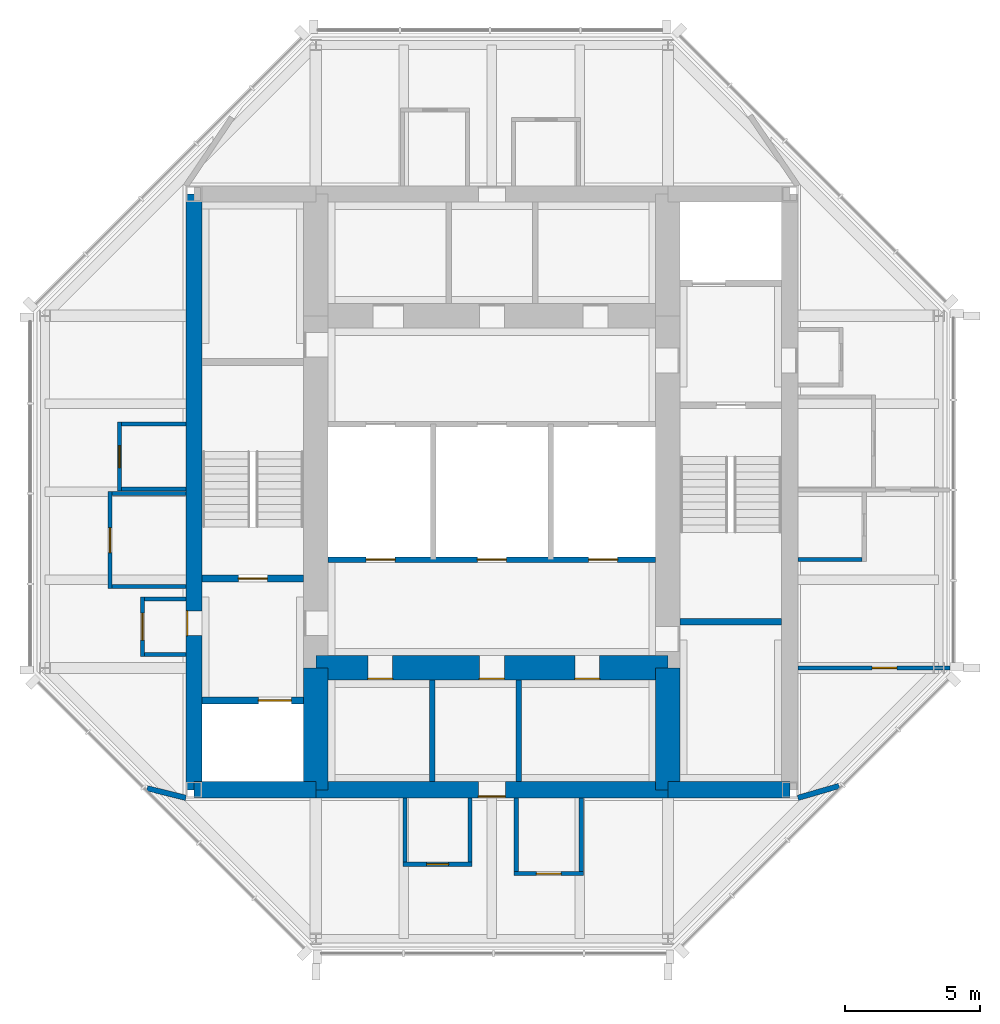
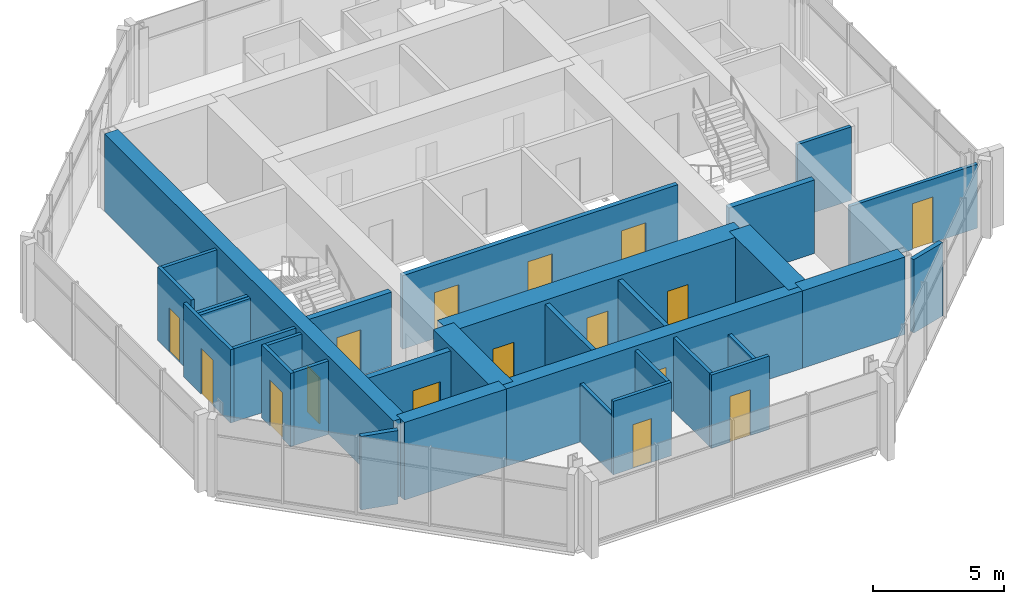
# One storey, part 5 of 8: 32 walls, 16 doors, 16 openings.
"""IFC4 building model written with IfcOpenShell, lengths in metres."""

from ifc_helpers import new_model, si_unit, direction, frame, frame_2d, origin, place, context, subcontext, project, spatial, rectangle, extrude, material, layer, layer_set, type_object, element, fill, save


model = new_model("IFC4")

# Units and contexts
model_context = context("Model", 3, precision=1e-05, world=origin(), true_north=direction((0.0, 1.0)))
body_context = subcontext(model_context, "Body", "Model", "MODEL_VIEW")
ifc_project = project(units=[si_unit("LENGTHUNIT", "METRE"), si_unit("AREAUNIT", "SQUARE_METRE"), si_unit("VOLUMEUNIT", "CUBIC_METRE"), si_unit("PLANEANGLEUNIT", "RADIAN"), si_unit("MASSUNIT", "GRAM", prefix="KILO")], contexts=[model_context])

# Site, building, storey
site_placement = place(None, origin())
site = spatial("IfcSite", under=ifc_project, at=site_placement, CompositionType="ELEMENT")
building_placement = place(site_placement, origin())
building = spatial("IfcBuilding", under=site, at=building_placement, Name="Trevanion Tower", CompositionType="ELEMENT")
storey_placement = place(building_placement, frame((0.0, 0.0, 274.0)))
storey = spatial("IfcBuildingStorey", under=building, at=storey_placement, Name="L67", CompositionType="ELEMENT", Elevation=274.0)

# Wall, opening, door
ifc_material_1 = material(Name="Concrete 10,000 psi", Category="concrete")
ifc_layer_1 = layer(ifc_material_1, 0.60009765625)
ifc_layer_set_1 = layer_set([ifc_layer_1], Name="CW1 core wall 600")
wall_type_1 = type_object("IfcWallType", Name="CW1 core wall 600", PredefinedType="SHEAR", material=ifc_layer_set_1)
wall_1_placement = place(storey_placement, frame((-11.0, 11.0, 0.0), z_axis=(0.0, 0.0, 1.0), x_axis=(0.0, -1.0, 0.0)))
wall_1 = element("IfcWall", 1, at=wall_1_placement, inside=storey, type_object=wall_type_1, Name="CW1 CW L67", PredefinedType="SHEAR", context=body_context, shape_type="SweptSolid", body=[
    extrude(rectangle(XDim=22.0, YDim=0.60009765625, at=frame_2d((11.0, 0.0))), origin(), (0.0, 0.0, 1.0), 3.60009765625),
])
opening_1_placement = place(wall_1_placement, frame((15.392578125, 0.0, 0.0)))
opening_1 = element("IfcOpeningElement", 2, at=opening_1_placement, cuts=wall_1, Name="Opening 67-002", PredefinedType="OPENING", context=body_context, shape_type="SweptSolid", body=[
    extrude(rectangle(XDim=0.9150390625, YDim=2.134033203125, at=frame_2d((0.45751953125, 1.06689453125))), frame((0.0, 0.31005859375, 0.0), z_axis=(0.0, -1.0, 0.0), x_axis=(1.0, 0.0, 0.0)), (0.0, 0.0, 1.0), 0.6201171875),
])
ifc_material_2 = material(Name="Hollow metal, fire rated", Category="steel")
door_type_1 = type_object("IfcDoorType", Name="D3 fire lift lobby door", OperationType="SINGLE_SWING_RIGHT", PredefinedType="DOOR", material=ifc_material_2)
door_1_placement = place(opening_1_placement, origin())
door_1 = element("IfcDoor", 3, at=door_1_placement, inside=storey, type_object=door_type_1, Name="Door 67-002", OperationType="SINGLE_SWING_RIGHT", OverallHeight=2.134033203125, OverallWidth=0.9150390625, PredefinedType="DOOR", context=body_context, shape_type="SweptSolid", body=[
    extrude(rectangle(XDim=0.9150390625, YDim=2.134033203125, at=frame_2d((0.45751953125, 1.06689453125))), frame((0.0, -0.22509765625, 0.0), z_axis=(0.0, -1.0, 0.0), x_axis=(1.0, 0.0, 0.0)), (0.0, 0.0, 1.0), 0.050048828125),
])
fill(opening_1, door_1)

# Wall
wall_2_placement = place(storey_placement, frame((-11.0, -11.0, 0.0), z_axis=(0.0, 0.0, 1.0), x_axis=(1.0, 0.0, 0.0)))
element("IfcWall", 4, at=wall_2_placement, inside=storey, type_object=wall_type_1, Name="CW1 CS1 L67", PredefinedType="SHEAR", context=body_context, shape_type="SweptSolid", body=[
    extrude(rectangle(XDim=4.5, YDim=0.60009765625, at=frame_2d((2.25, 0.0))), origin(), (0.0, 0.0, 1.0), 3.60009765625),
])

# Wall, opening, door
wall_3_placement = place(storey_placement, frame((-6.5, -11.0, 0.0), z_axis=(0.0, 0.0, 1.0), x_axis=(1.0, 0.0, 0.0)))
wall_3 = element("IfcWall", 5, at=wall_3_placement, inside=storey, type_object=wall_type_1, Name="CW1 CS2 L67", PredefinedType="SHEAR", context=body_context, shape_type="SweptSolid", body=[
    extrude(rectangle(XDim=13.0, YDim=0.60009765625, at=frame_2d((6.5, 0.0))), origin(), (0.0, 0.0, 1.0), 3.60009765625),
])
opening_2_placement = place(wall_3_placement, frame((6.0, 0.0, 0.0)))
opening_2 = element("IfcOpeningElement", 6, at=opening_2_placement, cuts=wall_3, Name="Opening 67-022", PredefinedType="OPENING", context=body_context, shape_type="SweptSolid", body=[
    extrude(rectangle(XDim=1.0, YDim=2.134033203125, at=frame_2d((0.5, 1.06689453125))), frame((0.0, 0.31005859375, 0.0), z_axis=(0.0, -1.0, 0.0), x_axis=(1.0, 0.0, 0.0)), (0.0, 0.0, 1.0), 0.6201171875),
])
ifc_material_3 = material(Name="Timber veneer on steel frame, fire rated", Category="steel")
door_type_2 = type_object("IfcDoorType", Name="D13 residence entrance door", OperationType="SINGLE_SWING_RIGHT", PredefinedType="DOOR", material=ifc_material_3)
door_2_placement = place(opening_2_placement, origin())
door_2 = element("IfcDoor", 7, at=door_2_placement, inside=storey, type_object=door_type_2, Name="Door 67-022", OperationType="SINGLE_SWING_RIGHT", OverallHeight=2.134033203125, OverallWidth=1.0, PredefinedType="DOOR", context=body_context, shape_type="SweptSolid", body=[
    extrude(rectangle(XDim=1.0, YDim=2.134033203125, at=frame_2d((0.5, 1.06689453125))), frame((0.0, -0.22509765625, 0.0), z_axis=(0.0, -1.0, 0.0), x_axis=(1.0, 0.0, 0.0)), (0.0, 0.0, 1.0), 0.050048828125),
])
fill(opening_2, door_2)

# Walls
wall_4_placement = place(storey_placement, frame((6.5, -11.0, 0.0), z_axis=(0.0, 0.0, 1.0), x_axis=(1.0, 0.0, 0.0)))
element("IfcWall", 8, at=wall_4_placement, inside=storey, type_object=wall_type_1, Name="CW1 CS3 L67", PredefinedType="SHEAR", context=body_context, shape_type="SweptSolid", body=[
    extrude(rectangle(XDim=4.5, YDim=0.60009765625, at=frame_2d((2.25, 0.0))), origin(), (0.0, 0.0, 1.0), 3.60009765625),
])
ifc_material_4 = material(Name="Concrete 10,000 psi", Category="concrete")
ifc_layer_2 = layer(ifc_material_4, 0.89990234375)
ifc_layer_set_2 = layer_set([ifc_layer_2], Name="CW2 core wall 900")
wall_type_2 = type_object("IfcWallType", Name="CW2 core wall 900", PredefinedType="SHEAR", material=ifc_layer_set_2)
for number, where, z_axis, x_axis, name in (
    (9, (6.5, -11.0, 0.0), (0.0, 0.0, 1.0), (0.0, 1.0, 0.0), "CW2 RE1 L67"),
    (10, (-6.5, -6.5, 0.0), (0.0, 0.0, 1.0), (0.0, -1.0, 0.0), "CW2 RW3 L67"),
):
    element("IfcWall", number, at=place(storey_placement, frame(where, z_axis=z_axis, x_axis=x_axis)), inside=storey, type_object=wall_type_2, Name=name, PredefinedType="SHEAR", context=body_context, shape_type="SweptSolid", body=[
        extrude(rectangle(XDim=4.5, YDim=0.89990234375, at=frame_2d((2.25, 0.0))), origin(), (0.0, 0.0, 1.0), 3.60009765625),
    ])

# Wall, openings, doors
wall_5_placement = place(storey_placement, frame((-6.5, -6.5, 0.0), z_axis=(0.0, 0.0, 1.0), x_axis=(1.0, 0.0, 0.0)))
wall_5 = element("IfcWall", 11, at=wall_5_placement, inside=storey, type_object=wall_type_2, Name="CW2 RS L67", PredefinedType="SHEAR", context=body_context, shape_type="SweptSolid", body=[
    extrude(rectangle(XDim=13.0, YDim=0.89990234375, at=frame_2d((6.5, 0.0))), origin(), (0.0, 0.0, 1.0), 3.60009765625),
])
opening_3_placement = place(wall_5_placement, frame((6.04248046875, 0.0, 0.0)))
opening_3 = element("IfcOpeningElement", 12, at=opening_3_placement, cuts=wall_5, Name="Opening 67-021", PredefinedType="OPENING", context=body_context, shape_type="SweptSolid", body=[
    extrude(rectangle(XDim=0.9150390625, YDim=2.134033203125, at=frame_2d((0.45751953125, 1.06689453125))), frame((0.0, 0.4599609375, 0.0), z_axis=(0.0, -1.0, 0.0), x_axis=(1.0, 0.0, 0.0)), (0.0, 0.0, 1.0), 0.919921875),
])
opening_4_placement = place(wall_5_placement, frame((1.91748046875, 0.0, 0.0)))
opening_4 = element("IfcOpeningElement", 13, at=opening_4_placement, cuts=wall_5, Name="Opening 67-023", PredefinedType="OPENING", context=body_context, shape_type="SweptSolid", body=[
    extrude(rectangle(XDim=0.9150390625, YDim=2.134033203125, at=frame_2d((0.45751953125, 1.06689453125))), frame((0.0, 0.4599609375, 0.0), z_axis=(0.0, -1.0, 0.0), x_axis=(1.0, 0.0, 0.0)), (0.0, 0.0, 1.0), 0.919921875),
])
opening_5_placement = place(wall_5_placement, frame((9.5673828125, 0.0, 0.0)))
opening_5 = element("IfcOpeningElement", 14, at=opening_5_placement, cuts=wall_5, Name="Opening 67-024", PredefinedType="OPENING", context=body_context, shape_type="SweptSolid", body=[
    extrude(rectangle(XDim=0.9150390625, YDim=2.134033203125, at=frame_2d((0.45751953125, 1.06689453125))), frame((0.0, 0.4599609375, 0.0), z_axis=(0.0, -1.0, 0.0), x_axis=(1.0, 0.0, 0.0)), (0.0, 0.0, 1.0), 0.919921875),
])
door_3_placement = place(opening_3_placement, origin())
door_3 = element("IfcDoor", 15, at=door_3_placement, inside=storey, type_object=door_type_1, Name="Door 67-021", OperationType="SINGLE_SWING_RIGHT", OverallHeight=2.134033203125, OverallWidth=0.9150390625, PredefinedType="DOOR", context=body_context, shape_type="SweptSolid", body=[
    extrude(rectangle(XDim=0.9150390625, YDim=2.134033203125, at=frame_2d((0.45751953125, 1.06689453125))), frame((0.0, -0.375, 0.0), z_axis=(0.0, -1.0, 0.0), x_axis=(1.0, 0.0, 0.0)), (0.0, 0.0, 1.0), 0.050048828125),
])
fill(opening_3, door_3)
ifc_material_5 = material(Name="Hollow metal, fire rated", Category="steel")
door_type_3 = type_object("IfcDoorType", Name="D5 service room door", OperationType="SINGLE_SWING_RIGHT", PredefinedType="DOOR", material=ifc_material_5)
door_4_placement = place(opening_4_placement, origin())
door_4 = element("IfcDoor", 16, at=door_4_placement, inside=storey, type_object=door_type_3, Name="Door 67-023", OperationType="SINGLE_SWING_RIGHT", OverallHeight=2.134033203125, OverallWidth=0.9150390625, PredefinedType="DOOR", context=body_context, shape_type="SweptSolid", body=[
    extrude(rectangle(XDim=0.9150390625, YDim=2.134033203125, at=frame_2d((0.45751953125, 1.06689453125))), frame((0.0, -0.375, 0.0), z_axis=(0.0, -1.0, 0.0), x_axis=(1.0, 0.0, 0.0)), (0.0, 0.0, 1.0), 0.050048828125),
])
fill(opening_4, door_4)
door_5_placement = place(opening_5_placement, origin())
door_5 = element("IfcDoor", 17, at=door_5_placement, inside=storey, type_object=door_type_3, Name="Door 67-024", OperationType="SINGLE_SWING_RIGHT", OverallHeight=2.134033203125, OverallWidth=0.9150390625, PredefinedType="DOOR", context=body_context, shape_type="SweptSolid", body=[
    extrude(rectangle(XDim=0.9150390625, YDim=2.134033203125, at=frame_2d((0.45751953125, 1.06689453125))), frame((0.0, -0.375, 0.0), z_axis=(0.0, -1.0, 0.0), x_axis=(1.0, 0.0, 0.0)), (0.0, 0.0, 1.0), 0.050048828125),
])
fill(opening_5, door_5)

# Wall, opening, door
ifc_material_6 = material(Name="Gypsum board on steel studs", Category="steel")
ifc_layer_3 = layer(ifc_material_6, 0.14990234375)
ifc_layer_set_3 = layer_set([ifc_layer_3], Name="PT1 partition 150")
wall_type_3 = type_object("IfcWallType", Name="PT1 partition 150", PredefinedType="PARTITIONING", material=ifc_layer_set_3)
wall_6_placement = place(storey_placement, frame((11.300048828125, -6.5, 0.0), z_axis=(0.0, 0.0, 1.0), x_axis=(1.0, 0.0, 0.0)))
wall_6 = element("IfcWall", 18, at=wall_6_placement, inside=storey, type_object=wall_type_3, Name="PT1 L67 REC0", PredefinedType="PARTITIONING", context=body_context, shape_type="SweptSolid", body=[
    extrude(rectangle(XDim=5.614990234375, YDim=0.14990234375, at=frame_2d((2.8076171875, 0.0))), origin(), (0.0, 0.0, 1.0), 2.965576171875),
])
opening_6_placement = place(wall_6_placement, frame((2.742431640625, 0.0, 0.0)))
opening_6 = element("IfcOpeningElement", 19, at=opening_6_placement, cuts=wall_6, Name="Opening 67-028", PredefinedType="OPENING", context=body_context, shape_type="SweptSolid", body=[
    extrude(rectangle(XDim=0.9150390625, YDim=2.134033203125, at=frame_2d((0.45751953125, 1.06689453125))), frame((0.0, 0.0849609375, 0.0), z_axis=(0.0, -1.0, 0.0), x_axis=(1.0, 0.0, 0.0)), (0.0, 0.0, 1.0), 0.169921875),
])
ifc_material_7 = material(Name="Timber veneer, solid core", Category="wood")
door_type_4 = type_object("IfcDoorType", Name="D1 office and meeting room door", OperationType="SINGLE_SWING_LEFT", PredefinedType="DOOR", material=ifc_material_7)
door_6_placement = place(opening_6_placement, origin())
door_6 = element("IfcDoor", 20, at=door_6_placement, inside=storey, type_object=door_type_4, Name="Door 67-028", OperationType="SINGLE_SWING_LEFT", OverallHeight=2.134033203125, OverallWidth=0.9150390625, PredefinedType="DOOR", context=body_context, shape_type="SweptSolid", body=[
    extrude(rectangle(XDim=0.9150390625, YDim=2.134033203125, at=frame_2d((0.45751953125, 1.06689453125))), frame((0.0, 0.02490234375, 0.0), z_axis=(0.0, -1.0, 0.0), x_axis=(1.0, 0.0, 0.0)), (0.0, 0.0, 1.0), 0.050048828125),
])
fill(opening_6, door_6)

# Walls
wall_7_placement = place(storey_placement, frame((11.300048828125, -2.5, 0.0), z_axis=(0.0, 0.0, 1.0), x_axis=(1.0, 0.0, 0.0)))
element("IfcWall", 21, at=wall_7_placement, inside=storey, type_object=wall_type_3, Name="PT1 L67 RETA", PredefinedType="PARTITIONING", context=body_context, shape_type="SweptSolid", body=[
    extrude(rectangle(XDim=2.375, YDim=0.14990234375, at=frame_2d((1.1875, 0.0))), origin(), (0.0, 0.0, 1.0), 3.409912109375),
])
for number, where, z_axis, x_axis, name in (
    (22, (-11.300048828125, -3.949951171875, 0.0), (0.0, 0.0, 1.0), (-1.0, 0.0, 0.0), "PT1 L67 RWEA"),
    (23, (-11.300048828125, -6.0, 0.0), (0.0, 0.0, 1.0), (-1.0, 0.0, 0.0), "PT1 L67 RWEB"),
):
    element("IfcWall", number, at=place(storey_placement, frame(where, z_axis=z_axis, x_axis=x_axis)), inside=storey, type_object=wall_type_3, Name=name, PredefinedType="PARTITIONING", context=body_context, shape_type="SweptSolid", body=[
        extrude(rectangle(XDim=1.52490234375, YDim=0.14990234375, at=frame_2d((0.762451171875, 0.0))), origin(), (0.0, 0.0, 1.0), 3.409912109375),
    ])

# Wall, opening, door
wall_8_placement = place(storey_placement, frame((-14.10009765625, 0.010009765625, 0.0), z_axis=(0.0, 0.0, 1.0), x_axis=(0.0, -1.0, 0.0)))
wall_8 = element("IfcWall", 24, at=wall_8_placement, inside=storey, type_object=wall_type_3, Name="PT1 L67 RWKF", PredefinedType="PARTITIONING", context=body_context, shape_type="SweptSolid", body=[
    extrude(rectangle(XDim=3.5849609375, YDim=0.14990234375, at=frame_2d((1.79248046875, 0.0))), origin(), (0.0, 0.0, 1.0), 3.409912109375),
])
opening_7_placement = place(wall_8_placement, frame((1.3349609375, 0.0, 0.0)))
opening_7 = element("IfcOpeningElement", 25, at=opening_7_placement, cuts=wall_8, Name="Opening 67-033", PredefinedType="OPENING", context=body_context, shape_type="SweptSolid", body=[
    extrude(rectangle(XDim=0.9150390625, YDim=2.134033203125, at=frame_2d((0.45751953125, 1.06689453125))), frame((0.0, 0.0849609375, 0.0), z_axis=(0.0, -1.0, 0.0), x_axis=(1.0, 0.0, 0.0)), (0.0, 0.0, 1.0), 0.169921875),
])
door_7_placement = place(opening_7_placement, origin())
door_7 = element("IfcDoor", 26, at=door_7_placement, inside=storey, type_object=door_type_4, Name="Door 67-033", OperationType="SINGLE_SWING_LEFT", OverallHeight=2.134033203125, OverallWidth=0.9150390625, PredefinedType="DOOR", context=body_context, shape_type="SweptSolid", body=[
    extrude(rectangle(XDim=0.9150390625, YDim=2.134033203125, at=frame_2d((0.45751953125, 1.06689453125))), frame((0.0, 0.02490234375, 0.0), z_axis=(0.0, -1.0, 0.0), x_axis=(1.0, 0.0, 0.0)), (0.0, 0.0, 1.0), 0.050048828125),
])
fill(opening_7, door_7)

# Walls
wall_9_placement = place(storey_placement, frame((-11.300048828125, -0.06494140625, 0.0), z_axis=(0.0, 0.0, 1.0), x_axis=(-1.0, 0.0, 0.0)))
element("IfcWall", 27, at=wall_9_placement, inside=storey, type_object=wall_type_3, Name="PT1 L67 RWKA", PredefinedType="PARTITIONING", context=body_context, shape_type="SweptSolid", body=[
    extrude(rectangle(XDim=2.724853515625, YDim=0.14990234375, at=frame_2d((1.3623046875, 0.0))), origin(), (0.0, 0.0, 1.0), 2.708984375),
])
wall_10_placement = place(storey_placement, frame((-11.300048828125, -3.5, 0.0), z_axis=(0.0, 0.0, 1.0), x_axis=(-1.0, 0.0, 0.0)))
element("IfcWall", 28, at=wall_10_placement, inside=storey, type_object=wall_type_3, Name="PT1 L67 RWKB", PredefinedType="PARTITIONING", context=body_context, shape_type="SweptSolid", body=[
    extrude(rectangle(XDim=2.724853515625, YDim=0.14990234375, at=frame_2d((1.3623046875, 0.0))), origin(), (0.0, 0.0, 1.0), 3.409912109375),
])

# Wall, opening, door
wall_11_placement = place(storey_placement, frame((-13.75, 2.574951171875, 0.0), z_axis=(0.0, 0.0, 1.0), x_axis=(0.0, -1.0, 0.0)))
wall_11 = element("IfcWall", 29, at=wall_11_placement, inside=storey, type_object=wall_type_3, Name="PT1 L67 RWTF", PredefinedType="PARTITIONING", context=body_context, shape_type="SweptSolid", body=[
    extrude(rectangle(XDim=2.550048828125, YDim=0.14990234375, at=frame_2d((1.27490234375, 0.0))), origin(), (0.0, 0.0, 1.0), 3.409912109375),
])
opening_8_placement = place(wall_11_placement, frame((0.868408203125, 0.0, 0.0)))
opening_8 = element("IfcOpeningElement", 30, at=opening_8_placement, cuts=wall_11, Name="Opening 67-034", PredefinedType="OPENING", context=body_context, shape_type="SweptSolid", body=[
    extrude(rectangle(XDim=0.81298828125, YDim=2.031982421875, at=frame_2d((0.406494140625, 1.01611328125))), frame((0.0, 0.0849609375, 0.0), z_axis=(0.0, -1.0, 0.0), x_axis=(1.0, 0.0, 0.0)), (0.0, 0.0, 1.0), 0.169921875),
])
ifc_material_8 = material(Name="Timber veneer", Category="wood")
door_type_5 = type_object("IfcDoorType", Name="D14 residence bathroom door", OperationType="SINGLE_SWING_LEFT", PredefinedType="DOOR", material=ifc_material_8)
door_8_placement = place(opening_8_placement, origin())
door_8 = element("IfcDoor", 31, at=door_8_placement, inside=storey, type_object=door_type_5, Name="Door 67-034", OperationType="SINGLE_SWING_LEFT", OverallHeight=2.031982421875, OverallWidth=0.81298828125, PredefinedType="DOOR", context=body_context, shape_type="SweptSolid", body=[
    extrude(rectangle(XDim=0.81298828125, YDim=2.031982421875, at=frame_2d((0.406494140625, 1.01611328125))), frame((0.0, 0.02490234375, 0.0), z_axis=(0.0, -1.0, 0.0), x_axis=(1.0, 0.0, 0.0)), (0.0, 0.0, 1.0), 0.050048828125),
])
fill(opening_8, door_8)

# Walls
wall_12_placement = place(storey_placement, frame((-11.300048828125, 2.5, 0.0), z_axis=(0.0, 0.0, 1.0), x_axis=(-1.0, 0.0, 0.0)))
element("IfcWall", 32, at=wall_12_placement, inside=storey, type_object=wall_type_3, Name="PT1 L67 RWTA", PredefinedType="PARTITIONING", context=body_context, shape_type="SweptSolid", body=[
    extrude(rectangle(XDim=2.375, YDim=0.14990234375, at=frame_2d((1.1875, 0.0))), origin(), (0.0, 0.0, 1.0), 3.409912109375),
])
wall_13_placement = place(storey_placement, frame((-11.300048828125, 0.10009765625, 0.0), z_axis=(0.0, 0.0, 1.0), x_axis=(-1.0, 0.0, 0.0)))
element("IfcWall", 33, at=wall_13_placement, inside=storey, type_object=wall_type_3, Name="PT1 L67 RWTB", PredefinedType="PARTITIONING", context=body_context, shape_type="SweptSolid", body=[
    extrude(rectangle(XDim=2.375, YDim=0.14990234375, at=frame_2d((1.1875, 0.0))), origin(), (0.0, 0.0, 1.0), 2.708984375),
])

# Wall, opening, door
wall_14_placement = place(storey_placement, frame((0.824951171875, -14.10009765625, 0.0), z_axis=(0.0, 0.0, 1.0), x_axis=(1.0, 0.0, 0.0)))
wall_14 = element("IfcWall", 34, at=wall_14_placement, inside=storey, type_object=wall_type_3, Name="PT1 L67 RSKF", PredefinedType="PARTITIONING", context=body_context, shape_type="SweptSolid", body=[
    extrude(rectangle(XDim=2.550048828125, YDim=0.14990234375, at=frame_2d((1.27490234375, 0.0))), origin(), (0.0, 0.0, 1.0), 3.409912109375),
])
opening_9_placement = place(wall_14_placement, frame((0.8173828125, 0.0, 0.0)))
opening_9 = element("IfcOpeningElement", 35, at=opening_9_placement, cuts=wall_14, Name="Opening 67-035", PredefinedType="OPENING", context=body_context, shape_type="SweptSolid", body=[
    extrude(rectangle(XDim=0.9150390625, YDim=2.134033203125, at=frame_2d((0.45751953125, 1.06689453125))), frame((0.0, 0.0849609375, 0.0), z_axis=(0.0, -1.0, 0.0), x_axis=(1.0, 0.0, 0.0)), (0.0, 0.0, 1.0), 0.169921875),
])
door_9_placement = place(opening_9_placement, origin())
door_9 = element("IfcDoor", 36, at=door_9_placement, inside=storey, type_object=door_type_4, Name="Door 67-035", OperationType="SINGLE_SWING_LEFT", OverallHeight=2.134033203125, OverallWidth=0.9150390625, PredefinedType="DOOR", context=body_context, shape_type="SweptSolid", body=[
    extrude(rectangle(XDim=0.9150390625, YDim=2.134033203125, at=frame_2d((0.45751953125, 1.06689453125))), frame((0.0, 0.02490234375, 0.0), z_axis=(0.0, -1.0, 0.0), x_axis=(1.0, 0.0, 0.0)), (0.0, 0.0, 1.0), 0.050048828125),
])
fill(opening_9, door_9)

# Walls
wall_15_placement = place(storey_placement, frame((0.89990234375, -11.300048828125, 0.0), z_axis=(0.0, 0.0, 1.0), x_axis=(0.0, -1.0, 0.0)))
element("IfcWall", 37, at=wall_15_placement, inside=storey, type_object=wall_type_3, Name="PT1 L67 RSKA", PredefinedType="PARTITIONING", context=body_context, shape_type="SweptSolid", body=[
    extrude(rectangle(XDim=2.724853515625, YDim=0.14990234375, at=frame_2d((1.3623046875, 0.0))), origin(), (0.0, 0.0, 1.0), 3.409912109375),
])
wall_16_placement = place(storey_placement, frame((3.300048828125, -11.300048828125, 0.0), z_axis=(0.0, 0.0, 1.0), x_axis=(0.0, -1.0, 0.0)))
element("IfcWall", 38, at=wall_16_placement, inside=storey, type_object=wall_type_3, Name="PT1 L67 RSKB", PredefinedType="PARTITIONING", context=body_context, shape_type="SweptSolid", body=[
    extrude(rectangle(XDim=2.724853515625, YDim=0.14990234375, at=frame_2d((1.3623046875, 0.0))), origin(), (0.0, 0.0, 1.0), 2.708984375),
])

# Wall, opening, door
wall_17_placement = place(storey_placement, frame((-3.27490234375, -13.75, 0.0), z_axis=(0.0, 0.0, 1.0), x_axis=(1.0, 0.0, 0.0)))
wall_17 = element("IfcWall", 39, at=wall_17_placement, inside=storey, type_object=wall_type_3, Name="PT1 L67 RSTF", PredefinedType="PARTITIONING", context=body_context, shape_type="SweptSolid", body=[
    extrude(rectangle(XDim=2.5498046875, YDim=0.14990234375, at=frame_2d((1.27490234375, 0.0))), origin(), (0.0, 0.0, 1.0), 3.409912109375),
])
opening_10_placement = place(wall_17_placement, frame((0.868408203125, 0.0, 0.0)))
opening_10 = element("IfcOpeningElement", 40, at=opening_10_placement, cuts=wall_17, Name="Opening 67-036", PredefinedType="OPENING", context=body_context, shape_type="SweptSolid", body=[
    extrude(rectangle(XDim=0.81298828125, YDim=2.031982421875, at=frame_2d((0.406494140625, 1.01611328125))), frame((0.0, 0.0849609375, 0.0), z_axis=(0.0, -1.0, 0.0), x_axis=(1.0, 0.0, 0.0)), (0.0, 0.0, 1.0), 0.169921875),
])
door_10_placement = place(opening_10_placement, origin())
door_10 = element("IfcDoor", 41, at=door_10_placement, inside=storey, type_object=door_type_5, Name="Door 67-036", OperationType="SINGLE_SWING_LEFT", OverallHeight=2.031982421875, OverallWidth=0.81298828125, PredefinedType="DOOR", context=body_context, shape_type="SweptSolid", body=[
    extrude(rectangle(XDim=0.81298828125, YDim=2.031982421875, at=frame_2d((0.406494140625, 1.01611328125))), frame((0.0, 0.02490234375, 0.0), z_axis=(0.0, -1.0, 0.0), x_axis=(1.0, 0.0, 0.0)), (0.0, 0.0, 1.0), 0.050048828125),
])
fill(opening_10, door_10)

# Walls
wall_18_placement = place(storey_placement, frame((-3.199951171875, -11.300048828125, 0.0), z_axis=(0.0, 0.0, 1.0), x_axis=(0.0, -1.0, 0.0)))
element("IfcWall", 42, at=wall_18_placement, inside=storey, type_object=wall_type_3, Name="PT1 L67 RSTA", PredefinedType="PARTITIONING", context=body_context, shape_type="SweptSolid", body=[
    extrude(rectangle(XDim=2.375, YDim=0.14990234375, at=frame_2d((1.1875, 0.0))), origin(), (0.0, 0.0, 1.0), 2.708984375),
])
wall_19_placement = place(storey_placement, frame((-0.800048828125, -11.300048828125, 0.0), z_axis=(0.0, 0.0, 1.0), x_axis=(0.0, -1.0, 0.0)))
element("IfcWall", 43, at=wall_19_placement, inside=storey, type_object=wall_type_3, Name="PT1 L67 RSTB", PredefinedType="PARTITIONING", context=body_context, shape_type="SweptSolid", body=[
    extrude(rectangle(XDim=2.375, YDim=0.14990234375, at=frame_2d((1.1875, 0.0))), origin(), (0.0, 0.0, 1.0), 3.409912109375),
])

# Wall, opening, door
ifc_material_9 = material(Name="Gypsum board on steel studs", Category="steel")
ifc_layer_4 = layer(ifc_material_9, 0.14990234375)
ifc_layer_set_4 = layer_set([ifc_layer_4], Name="PT1 partition 150 1 HR")
wall_type_4 = type_object("IfcWallType", Name="PT1 partition 150 1 HR", PredefinedType="PARTITIONING", material=ifc_layer_set_4)
wall_20_placement = place(storey_placement, frame((-12.89990234375, -3.875, 0.0), z_axis=(0.0, 0.0, 1.0), x_axis=(0.0, -1.0, 0.0)))
wall_20 = element("IfcWall", 44, at=wall_20_placement, inside=storey, type_object=wall_type_4, Name="PT1 L67 RWEF", PredefinedType="PARTITIONING", context=body_context, shape_type="SweptSolid", body=[
    extrude(rectangle(XDim=2.199951171875, YDim=0.14990234375, at=frame_2d((1.10009765625, 0.0))), origin(), (0.0, 0.0, 1.0), 3.409912109375),
])
opening_11_placement = place(wall_20_placement, frame((0.60009765625, 0.0, 0.0)))
opening_11 = element("IfcOpeningElement", 45, at=opening_11_placement, cuts=wall_20, Name="Opening 67-032", PredefinedType="OPENING", context=body_context, shape_type="SweptSolid", body=[
    extrude(rectangle(XDim=1.0, YDim=2.134033203125, at=frame_2d((0.5, 1.06689453125))), frame((0.0, 0.0849609375, 0.0), z_axis=(0.0, -1.0, 0.0), x_axis=(1.0, 0.0, 0.0)), (0.0, 0.0, 1.0), 0.169921875),
])
door_11_placement = place(opening_11_placement, origin())
door_11 = element("IfcDoor", 46, at=door_11_placement, inside=storey, type_object=door_type_2, Name="Door 67-032", OperationType="SINGLE_SWING_RIGHT", OverallHeight=2.134033203125, OverallWidth=1.0, PredefinedType="DOOR", context=body_context, shape_type="SweptSolid", body=[
    extrude(rectangle(XDim=1.0, YDim=2.134033203125, at=frame_2d((0.5, 1.06689453125))), frame((0.0, 0.02490234375, 0.0), z_axis=(0.0, -1.0, 0.0), x_axis=(1.0, 0.0, 0.0)), (0.0, 0.0, 1.0), 0.050048828125),
])
fill(opening_11, door_11)

# Wall, openings, doors
ifc_material_10 = material(Name="Concrete masonry, grouted", Category="masonry")
ifc_layer_5 = layer(ifc_material_10, 0.199951171875)
ifc_layer_set_5 = layer_set([ifc_layer_5], Name="PT2 partition 200 1 HR")
wall_type_5 = type_object("IfcWallType", Name="PT2 partition 200 1 HR", PredefinedType="PARTITIONING", material=ifc_layer_set_5)
wall_21_placement = place(storey_placement, frame((6.050048828125, -2.5, 0.0), z_axis=(0.0, 0.0, 1.0), x_axis=(-1.0, 0.0, 0.0)))
wall_21 = element("IfcWall", 47, at=wall_21_placement, inside=storey, type_object=wall_type_5, Name="PT2 L67 CP2", PredefinedType="PARTITIONING", context=body_context, shape_type="SweptSolid", body=[
    extrude(rectangle(XDim=12.10009765625, YDim=0.199951171875, at=frame_2d((6.050048828125, 0.0))), origin(), (0.0, 0.0, 1.0), 3.409912109375),
])
opening_12_placement = place(wall_21_placement, frame((9.624755859375, 0.0, 0.0)))
opening_12 = element("IfcOpeningElement", 48, at=opening_12_placement, cuts=wall_21, Name="Opening 67-012", PredefinedType="OPENING", context=body_context, shape_type="SweptSolid", body=[
    extrude(rectangle(XDim=1.06689453125, YDim=2.134033203125, at=frame_2d((0.533447265625, 1.06689453125))), frame((0.0, 0.10986328125, 0.0), z_axis=(0.0, -1.0, 0.0), x_axis=(1.0, 0.0, 0.0)), (0.0, 0.0, 1.0), 0.219970703125),
])
opening_13_placement = place(wall_21_placement, frame((5.5166015625, 0.0, 0.0)))
opening_13 = element("IfcOpeningElement", 49, at=opening_13_placement, cuts=wall_21, Name="Opening 67-014", PredefinedType="OPENING", context=body_context, shape_type="SweptSolid", body=[
    extrude(rectangle(XDim=1.06689453125, YDim=2.134033203125, at=frame_2d((0.533447265625, 1.06689453125))), frame((0.0, 0.10986328125, 0.0), z_axis=(0.0, -1.0, 0.0), x_axis=(1.0, 0.0, 0.0)), (0.0, 0.0, 1.0), 0.219970703125),
])
opening_14_placement = place(wall_21_placement, frame((1.408203125, 0.0, 0.0)))
opening_14 = element("IfcOpeningElement", 50, at=opening_14_placement, cuts=wall_21, Name="Opening 67-016", PredefinedType="OPENING", context=body_context, shape_type="SweptSolid", body=[
    extrude(rectangle(XDim=1.06689453125, YDim=2.134033203125, at=frame_2d((0.533447265625, 1.06689453125))), frame((0.0, 0.10986328125, 0.0), z_axis=(0.0, -1.0, 0.0), x_axis=(1.0, 0.0, 0.0)), (0.0, 0.0, 1.0), 0.219970703125),
])
ifc_material_11 = material(Name="Stainless steel, fire rated", Category="steel")
door_type_6 = type_object("IfcDoorType", Name="LD1 lift landing door", OperationType="SLIDING_TO_LEFT", PredefinedType="DOOR", material=ifc_material_11)
door_12_placement = place(opening_12_placement, origin())
door_12 = element("IfcDoor", 51, at=door_12_placement, inside=storey, type_object=door_type_6, Name="Door 67-012", OperationType="SLIDING_TO_LEFT", OverallHeight=2.134033203125, OverallWidth=1.06689453125, PredefinedType="DOOR", context=body_context, shape_type="SweptSolid", body=[
    extrude(rectangle(XDim=1.06689453125, YDim=2.134033203125, at=frame_2d((0.533447265625, 1.06689453125))), frame((0.0, 0.02490234375, 0.0), z_axis=(0.0, -1.0, 0.0), x_axis=(1.0, 0.0, 0.0)), (0.0, 0.0, 1.0), 0.050048828125),
])
fill(opening_12, door_12)
door_13_placement = place(opening_13_placement, origin())
door_13 = element("IfcDoor", 52, at=door_13_placement, inside=storey, type_object=door_type_6, Name="Door 67-014", OperationType="SLIDING_TO_LEFT", OverallHeight=2.134033203125, OverallWidth=1.06689453125, PredefinedType="DOOR", context=body_context, shape_type="SweptSolid", body=[
    extrude(rectangle(XDim=1.06689453125, YDim=2.134033203125, at=frame_2d((0.533447265625, 1.06689453125))), frame((0.0, 0.02490234375, 0.0), z_axis=(0.0, -1.0, 0.0), x_axis=(1.0, 0.0, 0.0)), (0.0, 0.0, 1.0), 0.050048828125),
])
fill(opening_13, door_13)
door_14_placement = place(opening_14_placement, origin())
door_14 = element("IfcDoor", 53, at=door_14_placement, inside=storey, type_object=door_type_6, Name="Door 67-016", OperationType="SLIDING_TO_LEFT", OverallHeight=2.134033203125, OverallWidth=1.06689453125, PredefinedType="DOOR", context=body_context, shape_type="SweptSolid", body=[
    extrude(rectangle(XDim=1.06689453125, YDim=2.134033203125, at=frame_2d((0.533447265625, 1.06689453125))), frame((0.0, 0.02490234375, 0.0), z_axis=(0.0, -1.0, 0.0), x_axis=(1.0, 0.0, 0.0)), (0.0, 0.0, 1.0), 0.050048828125),
])
fill(opening_14, door_14)

# Walls
for number, where, z_axis, x_axis, name in (
    (54, (-2.199951171875, -6.949951171875, 0.0), (0.0, 0.0, 1.0), (0.0, -1.0, 0.0), "PT2 L67 CSP1"),
    (55, (1.0, -6.949951171875, 0.0), (0.0, 0.0, 1.0), (0.0, -1.0, 0.0), "PT2 L67 CSP2"),
):
    element("IfcWall", number, at=place(storey_placement, frame(where, z_axis=z_axis, x_axis=x_axis)), inside=storey, type_object=wall_type_5, Name=name, PredefinedType="PARTITIONING", context=body_context, shape_type="SweptSolid", body=[
        extrude(rectangle(XDim=3.75, YDim=0.199951171875, at=frame_2d((1.875, 0.0))), origin(), (0.0, 0.0, 1.0), 3.409912109375),
    ])
wall_22_placement = place(storey_placement, frame((-11.300048828125, -11.300048828125, 0.0), z_axis=(0.0, 0.0, 1.0), x_axis=(-0.970646702169, 0.24050983258, 0.0)))
element("IfcWall", 56, at=wall_22_placement, inside=storey, type_object=wall_type_5, Name="PT2 L67 UB2", PredefinedType="PARTITIONING", context=body_context, shape_type="SweptSolid", body=[
    extrude(rectangle(XDim=1.474853515625, YDim=0.199951171875, at=frame_2d((0.7373046875, 0.0))), origin(), (0.0, 0.0, 1.0), 3.409912109375),
])
wall_23_placement = place(storey_placement, frame((11.300048828125, -11.300048828125, 0.0), z_axis=(0.0, 0.0, 1.0), x_axis=(0.960552344683, 0.278099250491, 0.0)))
element("IfcWall", 57, at=wall_23_placement, inside=storey, type_object=wall_type_5, Name="PT2 L67 UB3", PredefinedType="PARTITIONING", context=body_context, shape_type="SweptSolid", body=[
    extrude(rectangle(XDim=1.583740234375, YDim=0.199951171875, at=frame_2d((0.7919921875, 0.0))), origin(), (0.0, 0.0, 1.0), 3.409912109375),
])

# Wall, opening, door
ifc_material_12 = material(Name="Concrete masonry, grouted, two-hour", Category="masonry")
ifc_layer_6 = layer(ifc_material_12, 0.25)
ifc_layer_set_6 = layer_set([ifc_layer_6], Name="PT3 partition 250 2 HR")
wall_type_6 = type_object("IfcWallType", Name="PT3 partition 250 2 HR", PredefinedType="PARTITIONING", material=ifc_layer_set_6)
wall_24_placement = place(storey_placement, frame((-6.949951171875, -7.699951171875, 0.0), z_axis=(0.0, 0.0, 1.0), x_axis=(-1.0, 0.0, 0.0)))
wall_24 = element("IfcWall", 58, at=wall_24_placement, inside=storey, type_object=wall_type_6, Name="PT3 L67 WP3", PredefinedType="PARTITIONING", context=body_context, shape_type="SweptSolid", body=[
    extrude(rectangle(XDim=3.75, YDim=0.25, at=frame_2d((1.875, 0.0))), origin(), (0.0, 0.0, 1.0), 3.409912109375),
])
opening_15_placement = place(wall_24_placement, frame((0.449951171875, 0.0, 0.0)))
opening_15 = element("IfcOpeningElement", 59, at=opening_15_placement, cuts=wall_24, Name="Opening 67-008", PredefinedType="OPENING", context=body_context, shape_type="SweptSolid", body=[
    extrude(rectangle(XDim=1.218994140625, YDim=2.134033203125, at=frame_2d((0.609375, 1.06689453125))), frame((0.0, 0.135009765625, 0.0), z_axis=(0.0, -1.0, 0.0), x_axis=(1.0, 0.0, 0.0)), (0.0, 0.0, 1.0), 0.27001953125),
])
ifc_material_13 = material(Name="Stainless steel, fire rated", Category="steel")
door_type_7 = type_object("IfcDoorType", Name="LD2 fire service lift landing door", OperationType="SLIDING_TO_LEFT", PredefinedType="DOOR", material=ifc_material_13)
door_15_placement = place(opening_15_placement, origin())
door_15 = element("IfcDoor", 60, at=door_15_placement, inside=storey, type_object=door_type_7, Name="Door 67-008", OperationType="SLIDING_TO_LEFT", OverallHeight=2.134033203125, OverallWidth=1.218994140625, PredefinedType="DOOR", context=body_context, shape_type="SweptSolid", body=[
    extrude(rectangle(XDim=1.218994140625, YDim=2.134033203125, at=frame_2d((0.609375, 1.06689453125))), frame((0.0, 0.02490234375, 0.0), z_axis=(0.0, -1.0, 0.0), x_axis=(1.0, 0.0, 0.0)), (0.0, 0.0, 1.0), 0.050048828125),
])
fill(opening_15, door_15)

# Wall
ifc_material_14 = material(Name="Reinforced masonry, fully grouted", Category="masonry")
ifc_layer_7 = layer(ifc_material_14, 0.25)
ifc_layer_set_7 = layer_set([ifc_layer_7], Name="SW1 stair shaft wall 250")
wall_type_7 = type_object("IfcWallType", Name="SW1 stair shaft wall 250", PredefinedType="SOLIDWALL", material=ifc_layer_set_7)
wall_25_placement = place(storey_placement, frame((6.949951171875, -4.800048828125, 0.0), z_axis=(0.0, 0.0, 1.0), x_axis=(1.0, 0.0, 0.0)))
element("IfcWall", 61, at=wall_25_placement, inside=storey, type_object=wall_type_7, Name="SW1 L67 EP1", PredefinedType="SOLIDWALL", context=body_context, shape_type="SweptSolid", body=[
    extrude(rectangle(XDim=3.75, YDim=0.25, at=frame_2d((1.875, 0.0))), origin(), (0.0, 0.0, 1.0), 3.409912109375),
])

# Wall, opening, door
wall_26_placement = place(storey_placement, frame((-6.949951171875, -3.199951171875, 0.0), z_axis=(0.0, 0.0, 1.0), x_axis=(-1.0, 0.0, 0.0)))
wall_26 = element("IfcWall", 62, at=wall_26_placement, inside=storey, type_object=wall_type_7, Name="SW1 L67 WP2", PredefinedType="SOLIDWALL", context=body_context, shape_type="SweptSolid", body=[
    extrude(rectangle(XDim=3.75, YDim=0.25, at=frame_2d((1.875, 0.0))), origin(), (0.0, 0.0, 1.0), 3.409912109375),
])
opening_16_placement = place(wall_26_placement, frame((1.341552734375, 0.0, 0.0)))
opening_16 = element("IfcOpeningElement", 63, at=opening_16_placement, cuts=wall_26, Name="Opening 67-006", PredefinedType="OPENING", context=body_context, shape_type="SweptSolid", body=[
    extrude(rectangle(XDim=1.06689453125, YDim=2.134033203125, at=frame_2d((0.533447265625, 1.06689453125))), frame((0.0, 0.135009765625, 0.0), z_axis=(0.0, -1.0, 0.0), x_axis=(1.0, 0.0, 0.0)), (0.0, 0.0, 1.0), 0.27001953125),
])
ifc_material_15 = material(Name="Hollow metal, fire rated", Category="steel")
door_type_8 = type_object("IfcDoorType", Name="D2 exit stair door", OperationType="SINGLE_SWING_LEFT", PredefinedType="DOOR", material=ifc_material_15)
door_16_placement = place(opening_16_placement, origin())
door_16 = element("IfcDoor", 64, at=door_16_placement, inside=storey, type_object=door_type_8, Name="Door 67-006", OperationType="SINGLE_SWING_LEFT", OverallHeight=2.134033203125, OverallWidth=1.06689453125, PredefinedType="DOOR", context=body_context, shape_type="SweptSolid", body=[
    extrude(rectangle(XDim=1.06689453125, YDim=2.134033203125, at=frame_2d((0.533447265625, 1.06689453125))), frame((0.0, 0.02490234375, 0.0), z_axis=(0.0, -1.0, 0.0), x_axis=(1.0, 0.0, 0.0)), (0.0, 0.0, 1.0), 0.050048828125),
])
fill(opening_16, door_16)

save(model, "model.ifc")
